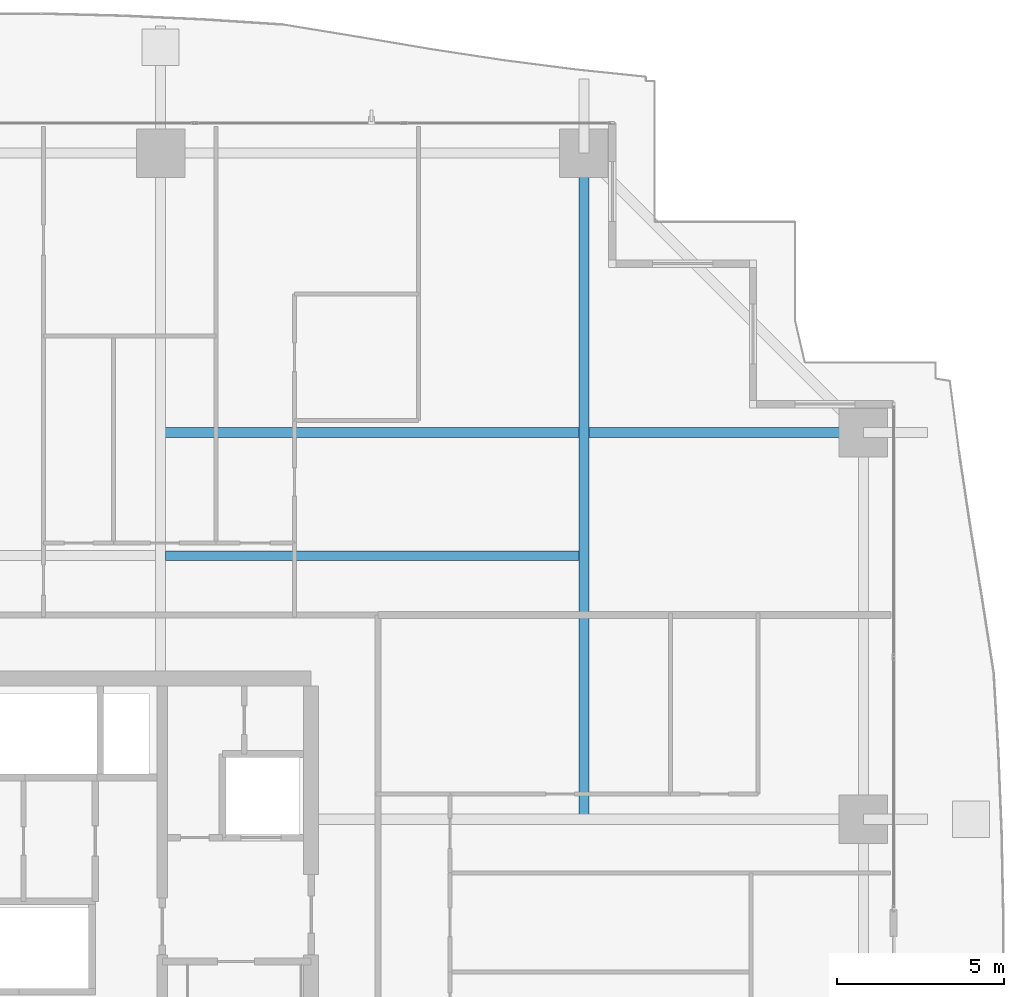
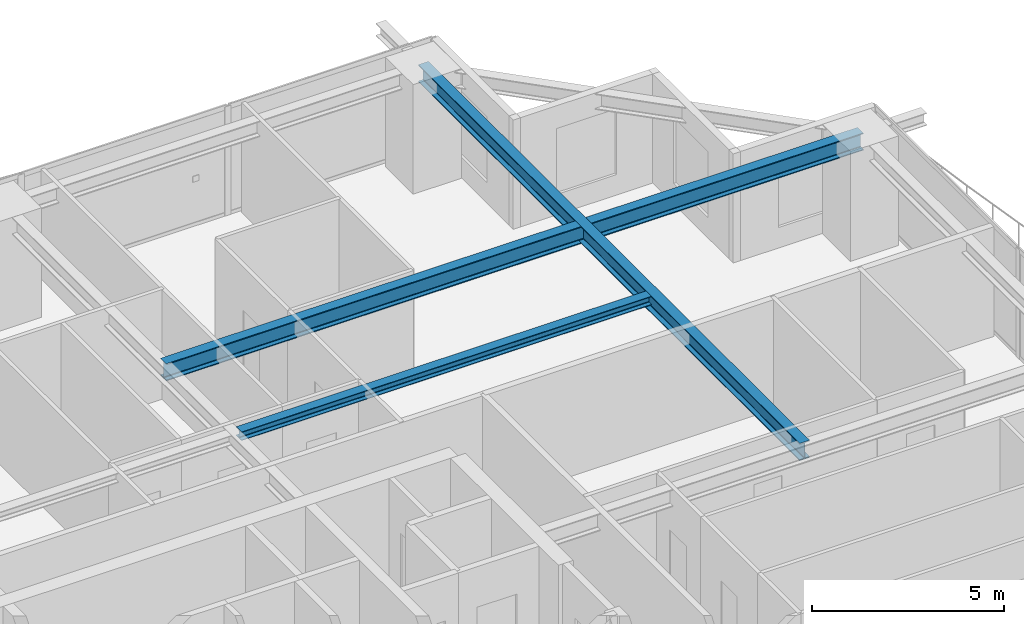
# One storey, part 22 of 39: 3 beams.
"""IFC4 building model written with IfcOpenShell, lengths in metres."""

from ifc_helpers import new_model, si_unit, direction, frame, origin, origin_2d, place, context, subcontext, project, spatial, i_section, extrude, source, transform, mapped, material, material_profile, profile_set, type_object, element, save


model = new_model("IFC4")

# Units and contexts
model_context = context("Model", 3, precision=1e-05, world=origin(), true_north=direction((0.0, 1.0)))
body_context = subcontext(model_context, "Body", "Model", "MODEL_VIEW")
ifc_project = project(units=[si_unit("LENGTHUNIT", "METRE"), si_unit("AREAUNIT", "SQUARE_METRE"), si_unit("VOLUMEUNIT", "CUBIC_METRE"), si_unit("PLANEANGLEUNIT", "RADIAN"), si_unit("MASSUNIT", "GRAM", prefix="KILO")], contexts=[model_context])

# Site, building, storey
site_placement = place(None, origin())
site = spatial("IfcSite", under=ifc_project, at=site_placement, CompositionType="ELEMENT")
building_placement = place(site_placement, origin())
building = spatial("IfcBuilding", under=site, at=building_placement, Name="Serunith Strait Residences", CompositionType="ELEMENT")
storey_placement = place(building_placement, frame((0.0, 0.0, 97.949951171875)))
storey = spatial("IfcBuildingStorey", under=building, at=storey_placement, Name="L24", CompositionType="ELEMENT", Elevation=97.949951171875)

# Beams
ifc_material = material(Name="Steel S355J2", Category="steel")
ifc_material_profile_1 = material_profile(ifc_material, i_section(OverallWidth=0.300048828125, OverallDepth=0.550048828125, WebThickness=0.014892578125, FlangeThickness=0.029052734375, FilletRadius=0.027099609375, at=origin_2d()), Name="HEB 550")
ifc_profile_set_1 = profile_set([ifc_material_profile_1], Name="Steel S355J2")
beam_type_1 = type_object("IfcBeamType", Name="BM-HEB550", PredefinedType="BEAM", material=ifc_profile_set_1)
shared_shape_1 = source(origin(), body_context, "Body", "SweptSolid", [
    extrude(i_section(OverallWidth=0.300048828125, OverallDepth=0.550048828125, WebThickness=0.014892578125, FlangeThickness=0.029052734375, FilletRadius=0.027099609375, at=origin_2d()), origin(), (0.0, 0.0, 1.0), 19.900146484375),
])
beam_1_placement = place(storey_placement, frame((49.550048828125, 29.39990234375, 3.212158203125), z_axis=(0.0, 1.0, 0.0), x_axis=(-1.0, 0.0, 0.0)))
element("IfcBeam", 1, at=beam_1_placement, inside=storey, type_object=beam_type_1, Name="L24 Orthogonal Corner Girder TC-N4", PredefinedType="BEAM", context=body_context, shape_type="MappedRepresentation", body=[
    mapped(shared_shape_1, transform((0.0, 0.0, 0.0), scale=1.0)),
])
shared_shape_2 = source(origin(), body_context, "Body", "SweptSolid", [
    extrude(i_section(OverallWidth=0.300048828125, OverallDepth=0.550048828125, WebThickness=0.014892578125, FlangeThickness=0.029052734375, FilletRadius=0.027099609375, at=origin_2d()), origin(), (0.0, 0.0, 1.0), 21.0),
])
beam_2_placement = place(storey_placement, frame((36.89990234375, 40.949951171875, 3.212158203125), z_axis=(1.0, 0.0, 0.0), x_axis=(0.0, 1.0, 0.0)))
element("IfcBeam", 2, at=beam_2_placement, inside=storey, type_object=beam_type_1, Name="L24 Orthogonal Corner Girder TC-E4", PredefinedType="BEAM", context=body_context, shape_type="MappedRepresentation", body=[
    mapped(shared_shape_2, transform((0.0, 0.0, 0.0), scale=1.0)),
])
ifc_material_profile_2 = material_profile(ifc_material, i_section(OverallWidth=0.280029296875, OverallDepth=0.280029296875, WebThickness=0.010498046875, FlangeThickness=0.01806640625, FilletRadius=0.02392578125, at=origin_2d()), Name="HEB 280")
ifc_profile_set_2 = profile_set([ifc_material_profile_2], Name="Steel S355J2")
beam_type_2 = type_object("IfcBeamType", Name="BM-HEB280", PredefinedType="JOIST", material=ifc_profile_set_2)
shared_shape_3 = source(origin(), body_context, "Body", "SweptSolid", [
    extrude(i_section(OverallWidth=0.280029296875, OverallDepth=0.280029296875, WebThickness=0.010498046875, FlangeThickness=0.01806640625, FilletRadius=0.02392578125, at=origin_2d()), origin(), (0.0, 0.0, 1.0), 12.349853515625),
])
beam_3_placement = place(storey_placement, frame((37.050048828125, 37.27490234375, 3.34716796875), z_axis=(1.0, 0.0, 0.0), x_axis=(0.0, 1.0, 0.0)))
element("IfcBeam", 3, at=beam_3_placement, inside=storey, type_object=beam_type_2, Name="L24 Composite Floor Joist 06", PredefinedType="JOIST", context=body_context, shape_type="MappedRepresentation", body=[
    mapped(shared_shape_3, transform((0.0, 0.0, 0.0), scale=1.0)),
])

save(model, "model.ifc")
